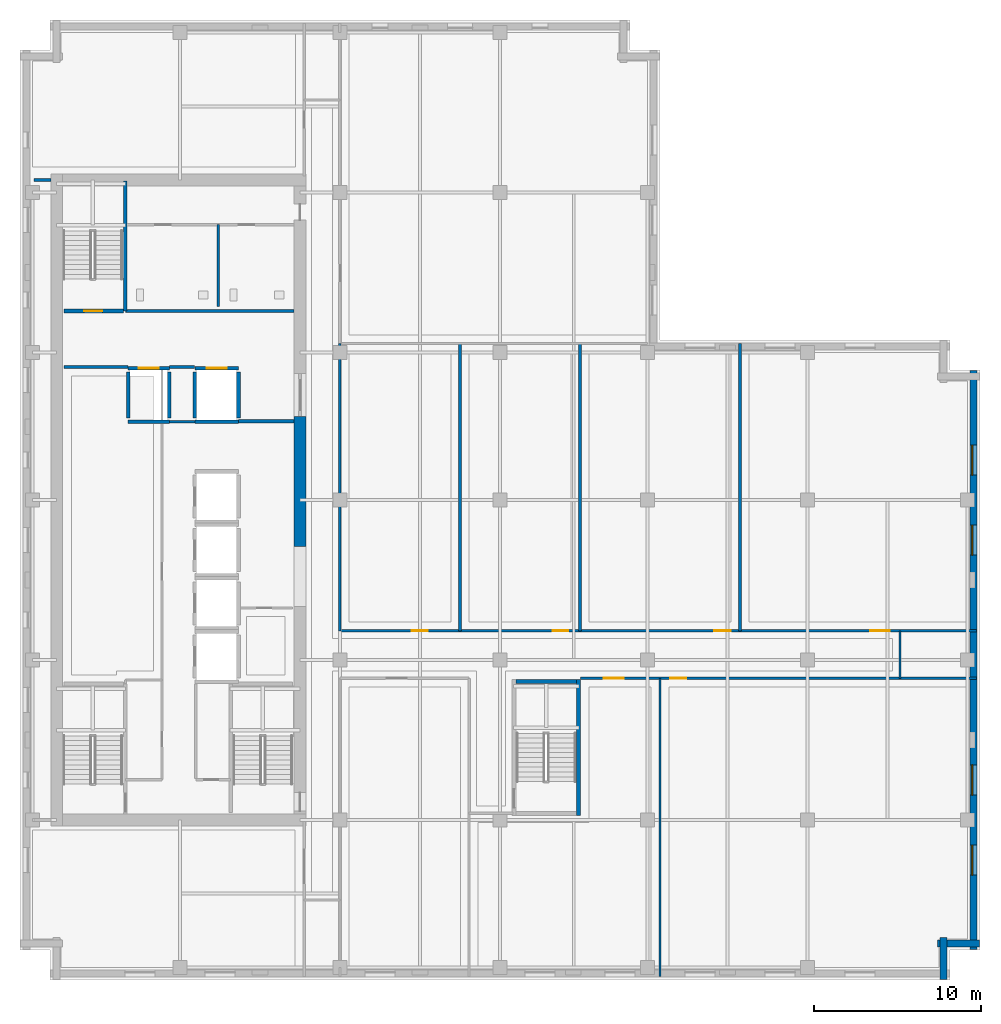
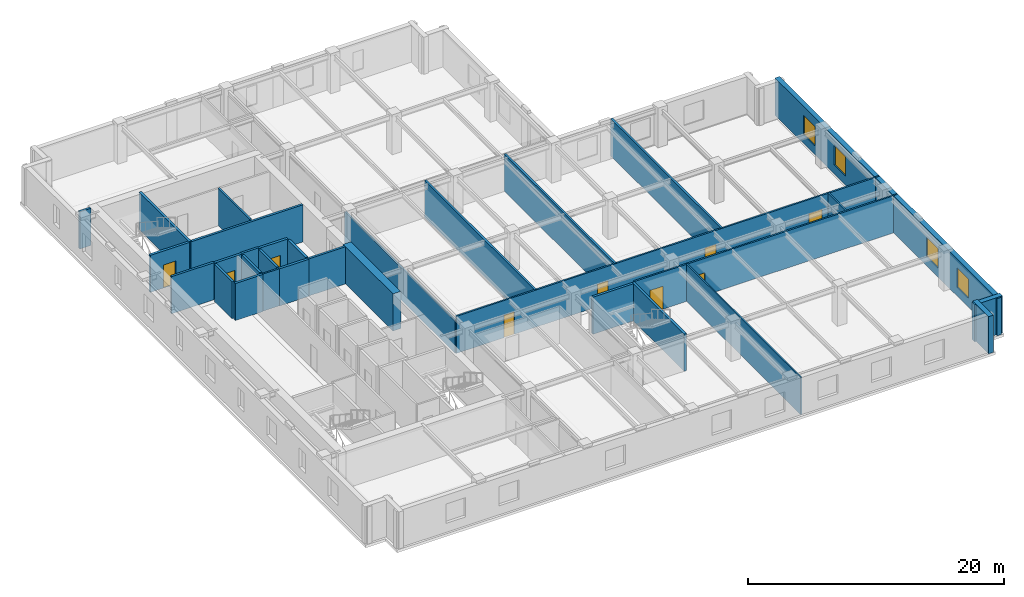
# One storey, part 5 of 11: 31 walls, 9 doors, 4 windows, 13 openings.
"""IFC4 building model written with IfcOpenShell, lengths in metres."""

from ifc_helpers import new_model, si_unit, direction, frame, frame_2d, origin, place, context, subcontext, project, spatial, rectangle, extrude, material, layer, layer_set, type_object, element, fill, save


model = new_model("IFC4")

# Units and contexts
model_context = context("Model", 3, precision=1e-05, world=origin(), true_north=direction((0.0, 1.0)))
body_context = subcontext(model_context, "Body", "Model", "MODEL_VIEW")
ifc_project = project(units=[si_unit("LENGTHUNIT", "METRE"), si_unit("AREAUNIT", "SQUARE_METRE"), si_unit("VOLUMEUNIT", "CUBIC_METRE"), si_unit("PLANEANGLEUNIT", "RADIAN"), si_unit("MASSUNIT", "GRAM", prefix="KILO")], contexts=[model_context])

# Site, building, storey
site_placement = place(None, origin())
site = spatial("IfcSite", under=ifc_project, at=site_placement, CompositionType="ELEMENT")
building_placement = place(site_placement, origin())
building = spatial("IfcBuilding", under=site, at=building_placement, Name="Norrvale University Quadrangle", CompositionType="ELEMENT")
storey_placement = place(building_placement, frame((0.0, 0.0, 206.60009765625)))
storey = spatial("IfcBuildingStorey", under=building, at=storey_placement, Name="L52", CompositionType="ELEMENT", Elevation=206.60009765625)

# Walls
ifc_material_1 = material(Name="Buff Norman Clay Brick Masonry", Category="masonry")
ifc_layer_1 = layer(ifc_material_1, 0.419921875, Name="Buff Norman Clay Brick Masonry")
ifc_layer_set_1 = layer_set([ifc_layer_1], Name="Buff Norman Clay Brick Masonry")
wall_type_1 = type_object("IfcWallType", Name="Wall Buff Brick 420", PredefinedType="SOLIDWALL", material=ifc_layer_set_1)
for number, where, z_axis, x_axis, name in (
    (1, (55.409912109375, 0.0400390625, 0.0), (0.0, 0.0, 1.0), (0.0, 1.0, 0.0), "Exterior Brick Facade Wall L52-02.1"),
    (2, (55.06005859375, 2.18994140625, 0.0), (0.0, 0.0, 1.0), (1.0, 0.0, 0.0), "Exterior Brick Facade Wall L52-03.1"),
):
    element("IfcWall", number, at=place(storey_placement, frame(where, z_axis=z_axis, x_axis=x_axis)), inside=storey, type_object=wall_type_1, Name=name, PredefinedType="SOLIDWALL", context=body_context, shape_type="SweptSolid", body=[
        extrude(rectangle(XDim=2.5, YDim=0.419921875, at=frame_2d((1.25, 0.0))), origin(), (0.0, 0.0, 1.0), 3.539794921875),
    ])

# Wall, openings, windows
wall_1_placement = place(storey_placement, frame((57.2099609375, 1.840087890625, 0.0), z_axis=(0.0, 0.0, 1.0), x_axis=(0.0, 1.0, 0.0)))
wall_1 = element("IfcWall", 3, at=wall_1_placement, inside=storey, type_object=wall_type_1, Name="Exterior Brick Facade Wall L52-04.1", PredefinedType="SOLIDWALL", context=body_context, shape_type="SweptSolid", body=[
    extrude(rectangle(XDim=34.719970703125, YDim=0.419921875, at=frame_2d((17.35986328125, 0.0))), origin(), (0.0, 0.0, 1.0), 3.539794921875),
])
opening_1_placement = place(wall_1_placement, frame((4.4599609375, 0.0, 0.85009765625)))
opening_1 = element("IfcOpeningElement", 4, at=opening_1_placement, cuts=wall_1, Name="Opening W01", PredefinedType="OPENING", context=body_context, shape_type="SweptSolid", body=[
    extrude(rectangle(XDim=1.800048828125, YDim=1.85009765625, at=frame_2d((0.89990234375, 0.925048828125))), frame((0.0, 0.221923828125, 0.0), z_axis=(0.0, -1.0, 0.0), x_axis=(1.0, 0.0, 0.0)), (0.0, 0.0, 1.0), 0.44384765625),
])
opening_2_placement = place(wall_1_placement, frame((9.260009765625, 0.0, 0.85009765625)))
opening_2 = element("IfcOpeningElement", 5, at=opening_2_placement, cuts=wall_1, Name="Opening W01", PredefinedType="OPENING", context=body_context, shape_type="SweptSolid", body=[
    extrude(rectangle(XDim=1.800048828125, YDim=1.85009765625, at=frame_2d((0.89990234375, 0.925048828125))), frame((0.0, 0.221923828125, 0.0), z_axis=(0.0, -1.0, 0.0), x_axis=(1.0, 0.0, 0.0)), (0.0, 0.0, 1.0), 0.44384765625),
])
opening_3_placement = place(wall_1_placement, frame((23.659912109375, 0.0, 0.85009765625)))
opening_3 = element("IfcOpeningElement", 6, at=opening_3_placement, cuts=wall_1, Name="Opening W01", PredefinedType="OPENING", context=body_context, shape_type="SweptSolid", body=[
    extrude(rectangle(XDim=1.800048828125, YDim=1.85009765625, at=frame_2d((0.89990234375, 0.925048828125))), frame((0.0, 0.221923828125, 0.0), z_axis=(0.0, -1.0, 0.0), x_axis=(1.0, 0.0, 0.0)), (0.0, 0.0, 1.0), 0.44384765625),
])
opening_4_placement = place(wall_1_placement, frame((28.4599609375, 0.0, 0.85009765625)))
opening_4 = element("IfcOpeningElement", 7, at=opening_4_placement, cuts=wall_1, Name="Opening W01", PredefinedType="OPENING", context=body_context, shape_type="SweptSolid", body=[
    extrude(rectangle(XDim=1.800048828125, YDim=1.85009765625, at=frame_2d((0.89990234375, 0.925048828125))), frame((0.0, 0.221923828125, 0.0), z_axis=(0.0, -1.0, 0.0), x_axis=(1.0, 0.0, 0.0)), (0.0, 0.0, 1.0), 0.44384765625),
])
ifc_material_2 = material(Name="Triple Low-E Argon Glazing", Category="glass")
window_type = type_object("IfcWindowType", Name="Window Academic 1800x2300", PartitioningType="DOUBLE_PANEL_VERTICAL", PredefinedType="WINDOW", material=ifc_material_2)
window_1_placement = place(opening_1_placement, origin())
window_1 = element("IfcWindow", 8, at=window_1_placement, inside=storey, type_object=window_type, Name="Window Academic 1800x2300 WIN-L52-E04-1-01", OverallHeight=1.85009765625, OverallWidth=1.800048828125, PartitioningType="DOUBLE_PANEL_VERTICAL", PredefinedType="WINDOW", context=body_context, shape_type="SweptSolid", body=[
    extrude(rectangle(XDim=1.800048828125, YDim=1.85009765625, at=frame_2d((0.89990234375, 0.925048828125))), frame((0.0, 0.110107421875, 0.0), z_axis=(0.0, -1.0, 0.0), x_axis=(1.0, 0.0, 0.0)), (0.0, 0.0, 1.0), 0.06005859375),
])
fill(opening_1, window_1)
window_2_placement = place(opening_2_placement, origin())
window_2 = element("IfcWindow", 9, at=window_2_placement, inside=storey, type_object=window_type, Name="Window Academic 1800x2300 WIN-L52-E04-1-02", OverallHeight=1.85009765625, OverallWidth=1.800048828125, PartitioningType="DOUBLE_PANEL_VERTICAL", PredefinedType="WINDOW", context=body_context, shape_type="SweptSolid", body=[
    extrude(rectangle(XDim=1.800048828125, YDim=1.85009765625, at=frame_2d((0.89990234375, 0.925048828125))), frame((0.0, 0.110107421875, 0.0), z_axis=(0.0, -1.0, 0.0), x_axis=(1.0, 0.0, 0.0)), (0.0, 0.0, 1.0), 0.06005859375),
])
fill(opening_2, window_2)
window_3_placement = place(opening_3_placement, origin())
window_3 = element("IfcWindow", 10, at=window_3_placement, inside=storey, type_object=window_type, Name="Window Academic 1800x2300 WIN-L52-E04-1-03", OverallHeight=1.85009765625, OverallWidth=1.800048828125, PartitioningType="DOUBLE_PANEL_VERTICAL", PredefinedType="WINDOW", context=body_context, shape_type="SweptSolid", body=[
    extrude(rectangle(XDim=1.800048828125, YDim=1.85009765625, at=frame_2d((0.89990234375, 0.925048828125))), frame((0.0, 0.110107421875, 0.0), z_axis=(0.0, -1.0, 0.0), x_axis=(1.0, 0.0, 0.0)), (0.0, 0.0, 1.0), 0.06005859375),
])
fill(opening_3, window_3)
window_4_placement = place(opening_4_placement, origin())
window_4 = element("IfcWindow", 11, at=window_4_placement, inside=storey, type_object=window_type, Name="Window Academic 1800x2300 WIN-L52-E04-1-04", OverallHeight=1.85009765625, OverallWidth=1.800048828125, PartitioningType="DOUBLE_PANEL_VERTICAL", PredefinedType="WINDOW", context=body_context, shape_type="SweptSolid", body=[
    extrude(rectangle(XDim=1.800048828125, YDim=1.85009765625, at=frame_2d((0.89990234375, 0.925048828125))), frame((0.0, 0.110107421875, 0.0), z_axis=(0.0, -1.0, 0.0), x_axis=(1.0, 0.0, 0.0)), (0.0, 0.0, 1.0), 0.06005859375),
])
fill(opening_4, window_4)

# Walls
ifc_material_3 = material(Name="Concrete C60/75", Category="concrete")
ifc_layer_2 = layer(ifc_material_3, 0.699951171875, Name="Concrete C60/75")
ifc_layer_set_2 = layer_set([ifc_layer_2], Name="Concrete C60/75")
wall_type_2 = type_object("IfcWallType", Name="Wall Core 700", PredefinedType="SHEAR", material=ifc_layer_set_2)
wall_2_placement = place(storey_placement, frame((16.800048828125, 26.0, 0.0), z_axis=(0.0, 0.0, 1.0), x_axis=(0.0, 1.0, 0.0)))
element("IfcWall", 12, at=wall_2_placement, inside=storey, type_object=wall_type_2, Name="Tower Core Shear Wall L52-E2", PredefinedType="SHEAR", context=body_context, shape_type="SweptSolid", body=[
    extrude(rectangle(XDim=7.800048828125, YDim=0.699951171875, at=frame_2d((3.89990234375, 0.0))), origin(), (0.0, 0.0, 1.0), 3.539794921875),
])
ifc_material_4 = material(Name="Standard Academic Gypsum Partition")
ifc_layer_3 = layer(ifc_material_4, 0.125, Name="Standard Academic Gypsum Partition")
ifc_layer_set_3 = layer_set([ifc_layer_3], Name="Standard Academic Gypsum Partition")
wall_type_3 = type_object("IfcWallType", Name="Wall Gypsum Academic 125", PredefinedType="PARTITIONING", material=ifc_layer_set_3)
wall_3_placement = place(storey_placement, frame((38.39990234375, 0.219970703125, 0.0), z_axis=(0.0, 0.0, 1.0), x_axis=(0.0, 1.0, 0.0)))
element("IfcWall", 13, at=wall_3_placement, inside=storey, type_object=wall_type_3, Name="Interior Partition WL-L52-SEP2", PredefinedType="PARTITIONING", context=body_context, shape_type="SweptSolid", body=[
    extrude(rectangle(XDim=17.880126953125, YDim=0.125, at=frame_2d((8.93994140625, 0.0))), origin(), (0.0, 0.0, 1.0), 3.539794921875),
])
ifc_material_5 = material(Name="Fire-Rated Gypsum Stud Partition")
ifc_layer_4 = layer(ifc_material_5, 0.14990234375, Name="Fire-Rated Gypsum Stud Partition")
ifc_layer_set_4 = layer_set([ifc_layer_4], Name="Fire-Rated Gypsum Stud Partition")
wall_type_4 = type_object("IfcWallType", Name="Wall Gypsum Corridor 150", PredefinedType="PARTITIONING", material=ifc_layer_set_4)
wall_4_placement = place(storey_placement, frame((8.965087890625, 33.489990234375, 0.0), z_axis=(0.0, 0.0, 1.0), x_axis=(1.0, 0.0, 0.0)))
element("IfcWall", 14, at=wall_4_placement, inside=storey, type_object=wall_type_4, Name="Interior Partition WL-L52-LL3", PredefinedType="PARTITIONING", context=body_context, shape_type="SweptSolid", body=[
    extrude(rectangle(XDim=1.52001953125, YDim=0.14990234375, at=frame_2d((0.760009765625, 0.0))), origin(), (0.0, 0.0, 1.0), 3.539794921875),
])
wall_5_placement = place(storey_placement, frame((52.800048828125, 18.10009765625, 0.0), z_axis=(0.0, 0.0, 1.0), x_axis=(0.0, 1.0, 0.0)))
element("IfcWall", 15, at=wall_5_placement, inside=storey, type_object=wall_type_4, Name="Interior Partition WL-L52-CESP-E", PredefinedType="PARTITIONING", context=body_context, shape_type="SweptSolid", body=[
    extrude(rectangle(XDim=2.849853515625, YDim=0.14990234375, at=frame_2d((1.4248046875, 0.0))), origin(), (0.0, 0.0, 1.0), 3.539794921875),
])

# Wall, openings, doors
wall_6_placement = place(storey_placement, frame((33.6201171875, 18.10009765625, 0.0), z_axis=(0.0, 0.0, 1.0), x_axis=(1.0, 0.0, 0.0)))
wall_6 = element("IfcWall", 16, at=wall_6_placement, inside=storey, type_object=wall_type_4, Name="Interior Partition WL-L52-SEW2", PredefinedType="PARTITIONING", context=body_context, shape_type="SweptSolid", body=[
    extrude(rectangle(XDim=23.759765625, YDim=0.14990234375, at=frame_2d((11.8798828125, 0.0))), origin(), (0.0, 0.0, 1.0), 3.539794921875),
])
opening_5_placement = place(wall_6_placement, frame((1.39990234375, 0.0, 0.0)))
opening_5 = element("IfcOpeningElement", 17, at=opening_5_placement, cuts=wall_6, Name="Opening D05", PredefinedType="OPENING", context=body_context, shape_type="SweptSolid", body=[
    extrude(rectangle(XDim=1.199951171875, YDim=2.199951171875, at=frame_2d((0.60009765625, 1.10009765625))), frame((0.0, 0.0869140625, 0.0), z_axis=(0.0, -1.0, 0.0), x_axis=(1.0, 0.0, 0.0)), (0.0, 0.0, 1.0), 0.173828125),
])
opening_6_placement = place(wall_6_placement, frame((5.39990234375, 0.0, 0.0)))
opening_6 = element("IfcOpeningElement", 18, at=opening_6_placement, cuts=wall_6, Name="Opening D07", PredefinedType="OPENING", context=body_context, shape_type="SweptSolid", body=[
    extrude(rectangle(XDim=0.949951171875, YDim=2.14990234375, at=frame_2d((0.47509765625, 1.074951171875))), frame((0.0, 0.0869140625, 0.0), z_axis=(0.0, -1.0, 0.0), x_axis=(1.0, 0.0, 0.0)), (0.0, 0.0, 1.0), 0.173828125),
])
ifc_material_6 = material(Name="Acoustic Oak Classroom Door", Category="wood")
door_type_1 = type_object("IfcDoorType", Name="Door Classroom 1200x2200", OperationType="NOTDEFINED", PredefinedType="DOOR", material=ifc_material_6)
door_1_placement = place(opening_5_placement, origin())
door_1 = element("IfcDoor", 19, at=door_1_placement, inside=storey, type_object=door_type_1, Name="Door Classroom 1200x2200 DR-L52-SE2", OperationType="SINGLE_SWING_RIGHT", OverallHeight=2.199951171875, OverallWidth=1.199951171875, PredefinedType="DOOR", context=body_context, shape_type="SweptSolid", body=[
    extrude(rectangle(XDim=1.199951171875, YDim=2.199951171875, at=frame_2d((0.60009765625, 1.10009765625))), frame((0.0, 0.02490234375, 0.0), z_axis=(0.0, -1.0, 0.0), x_axis=(1.0, 0.0, 0.0)), (0.0, 0.0, 1.0), 0.050048828125),
])
fill(opening_5, door_1)
ifc_material_7 = material(Name="Solid-Core Maple Door", Category="wood")
door_type_2 = type_object("IfcDoorType", Name="Door Office 950x2150", OperationType="NOTDEFINED", PredefinedType="DOOR", material=ifc_material_7)
door_2_placement = place(opening_6_placement, origin())
door_2 = element("IfcDoor", 20, at=door_2_placement, inside=storey, type_object=door_type_2, Name="Door Office 950x2150 DR-L52-SE3", OperationType="SINGLE_SWING_LEFT", OverallHeight=2.14990234375, OverallWidth=0.949951171875, PredefinedType="DOOR", context=body_context, shape_type="SweptSolid", body=[
    extrude(rectangle(XDim=0.949951171875, YDim=2.14990234375, at=frame_2d((0.47509765625, 1.074951171875))), frame((0.0, 0.02490234375, 0.0), z_axis=(0.0, -1.0, 0.0), x_axis=(1.0, 0.0, 0.0)), (0.0, 0.0, 1.0), 0.050048828125),
])
fill(opening_6, door_2)

wall_7_placement = place(storey_placement, frame((19.199951171875, 20.949951171875, 0.0), z_axis=(0.0, 0.0, 1.0), x_axis=(1.0, 0.0, 0.0)))
wall_7 = element("IfcWall", 21, at=wall_7_placement, inside=storey, type_object=wall_type_4, Name="Interior Partition WL-L52-MECW", PredefinedType="PARTITIONING", context=body_context, shape_type="SweptSolid", body=[
    extrude(rectangle(XDim=38.179931640625, YDim=0.14990234375, at=frame_2d((19.08984375, 0.0))), origin(), (0.0, 0.0, 1.0), 3.539794921875),
])
opening_7_placement = place(wall_7_placement, frame((4.300048828125, 0.0, 0.0)))
opening_7 = element("IfcOpeningElement", 22, at=opening_7_placement, cuts=wall_7, Name="Opening D07", PredefinedType="OPENING", context=body_context, shape_type="SweptSolid", body=[
    extrude(rectangle(XDim=0.949951171875, YDim=2.14990234375, at=frame_2d((0.47509765625, 1.074951171875))), frame((0.0, 0.0869140625, 0.0), z_axis=(0.0, -1.0, 0.0), x_axis=(1.0, 0.0, 0.0)), (0.0, 0.0, 1.0), 0.173828125),
])
opening_8_placement = place(wall_7_placement, frame((12.75, 0.0, 0.0)))
opening_8 = element("IfcOpeningElement", 23, at=opening_8_placement, cuts=wall_7, Name="Opening D07", PredefinedType="OPENING", context=body_context, shape_type="SweptSolid", body=[
    extrude(rectangle(XDim=0.949951171875, YDim=2.14990234375, at=frame_2d((0.47509765625, 1.074951171875))), frame((0.0, 0.0869140625, 0.0), z_axis=(0.0, -1.0, 0.0), x_axis=(1.0, 0.0, 0.0)), (0.0, 0.0, 1.0), 0.173828125),
])
opening_9_placement = place(wall_7_placement, frame((22.449951171875, 0.0, 0.0)))
opening_9 = element("IfcOpeningElement", 24, at=opening_9_placement, cuts=wall_7, Name="Opening D04", PredefinedType="OPENING", context=body_context, shape_type="SweptSolid", body=[
    extrude(rectangle(XDim=1.0, YDim=2.199951171875, at=frame_2d((0.5, 1.10009765625))), frame((0.0, 0.0869140625, 0.0), z_axis=(0.0, -1.0, 0.0), x_axis=(1.0, 0.0, 0.0)), (0.0, 0.0, 1.0), 0.173828125),
])
opening_10_placement = place(wall_7_placement, frame((31.800048828125, 0.0, 0.0)))
opening_10 = element("IfcOpeningElement", 25, at=opening_10_placement, cuts=wall_7, Name="Opening D05", PredefinedType="OPENING", context=body_context, shape_type="SweptSolid", body=[
    extrude(rectangle(XDim=1.199951171875, YDim=2.199951171875, at=frame_2d((0.60009765625, 1.10009765625))), frame((0.0, 0.0869140625, 0.0), z_axis=(0.0, -1.0, 0.0), x_axis=(1.0, 0.0, 0.0)), (0.0, 0.0, 1.0), 0.173828125),
])
door_3_placement = place(opening_10_placement, origin())
door_3 = element("IfcDoor", 26, at=door_3_placement, inside=storey, type_object=door_type_1, Name="Door Classroom 1200x2200 DR-L52-ME04", OperationType="SINGLE_SWING_RIGHT", OverallHeight=2.199951171875, OverallWidth=1.199951171875, PredefinedType="DOOR", context=body_context, shape_type="SweptSolid", body=[
    extrude(rectangle(XDim=1.199951171875, YDim=2.199951171875, at=frame_2d((0.60009765625, 1.10009765625))), frame((0.0, 0.02490234375, 0.0), z_axis=(0.0, -1.0, 0.0), x_axis=(1.0, 0.0, 0.0)), (0.0, 0.0, 1.0), 0.050048828125),
])
fill(opening_10, door_3)
ifc_material_8 = material(Name="Solid-Core Oak Fire Door", Category="wood")
door_type_3 = type_object("IfcDoorType", Name="Door Corridor 1000x2200", OperationType="NOTDEFINED", PredefinedType="DOOR", material=ifc_material_8)
door_4_placement = place(opening_9_placement, origin())
door_4 = element("IfcDoor", 27, at=door_4_placement, inside=storey, type_object=door_type_3, Name="Door Corridor 1000x2200 DR-L52-ME03", OperationType="SINGLE_SWING_LEFT", OverallHeight=2.199951171875, OverallWidth=1.0, PredefinedType="DOOR", context=body_context, shape_type="SweptSolid", body=[
    extrude(rectangle(XDim=1.0, YDim=2.199951171875, at=frame_2d((0.5, 1.10009765625))), frame((0.0, 0.02490234375, 0.0), z_axis=(0.0, -1.0, 0.0), x_axis=(1.0, 0.0, 0.0)), (0.0, 0.0, 1.0), 0.050048828125),
])
fill(opening_9, door_4)
door_5_placement = place(opening_7_placement, origin())
door_5 = element("IfcDoor", 28, at=door_5_placement, inside=storey, type_object=door_type_2, Name="Door Office 950x2150 DR-L52-ME01", OperationType="SINGLE_SWING_LEFT", OverallHeight=2.14990234375, OverallWidth=0.949951171875, PredefinedType="DOOR", context=body_context, shape_type="SweptSolid", body=[
    extrude(rectangle(XDim=0.949951171875, YDim=2.14990234375, at=frame_2d((0.47509765625, 1.074951171875))), frame((0.0, 0.02490234375, 0.0), z_axis=(0.0, -1.0, 0.0), x_axis=(1.0, 0.0, 0.0)), (0.0, 0.0, 1.0), 0.050048828125),
])
fill(opening_7, door_5)
door_6_placement = place(opening_8_placement, origin())
door_6 = element("IfcDoor", 29, at=door_6_placement, inside=storey, type_object=door_type_2, Name="Door Office 950x2150 DR-L52-ME02", OperationType="SINGLE_SWING_RIGHT", OverallHeight=2.14990234375, OverallWidth=0.949951171875, PredefinedType="DOOR", context=body_context, shape_type="SweptSolid", body=[
    extrude(rectangle(XDim=0.949951171875, YDim=2.14990234375, at=frame_2d((0.47509765625, 1.074951171875))), frame((0.0, 0.02490234375, 0.0), z_axis=(0.0, -1.0, 0.0), x_axis=(1.0, 0.0, 0.0)), (0.0, 0.0, 1.0), 0.050048828125),
])
fill(opening_8, door_6)

# Walls
wall_8_placement = place(storey_placement, frame((19.199951171875, 20.949951171875, 0.0), z_axis=(0.0, 0.0, 1.0), x_axis=(0.0, 1.0, 0.0)))
element("IfcWall", 30, at=wall_8_placement, inside=storey, type_object=wall_type_4, Name="Interior Partition WL-L52-ME-W", PredefinedType="PARTITIONING", context=body_context, shape_type="SweptSolid", body=[
    extrude(rectangle(XDim=17.22998046875, YDim=0.14990234375, at=frame_2d((8.614990234375, 0.0))), origin(), (0.0, 0.0, 1.0), 3.07080078125),
])
ifc_material_9 = material(Name="Acoustic Double-Stud Gypsum Partition")
ifc_layer_5 = layer(ifc_material_9, 0.179931640625, Name="Acoustic Double-Stud Gypsum Partition")
ifc_layer_set_5 = layer_set([ifc_layer_5], Name="Acoustic Double-Stud Gypsum Partition")
wall_type_5 = type_object("IfcWallType", Name="Wall Gypsum Lecture 180", PredefinedType="PARTITIONING", material=ifc_layer_set_5)
for number, where, z_axis, x_axis, name in (
    (31, (26.39990234375, 20.949951171875, 0.0), (0.0, 0.0, 1.0), (0.0, 1.0, 0.0), "Interior Partition WL-L52-MEP01"),
    (32, (33.60009765625, 20.949951171875, 0.0), (0.0, 0.0, 1.0), (0.0, 1.0, 0.0), "Interior Partition WL-L52-MEP02"),
    (33, (43.199951171875, 20.949951171875, 0.0), (0.0, 0.0, 1.0), (0.0, 1.0, 0.0), "Interior Partition WL-L52-MEP03"),
):
    element("IfcWall", number, at=place(storey_placement, frame(where, z_axis=z_axis, x_axis=x_axis)), inside=storey, type_object=wall_type_5, Name=name, PredefinedType="PARTITIONING", context=body_context, shape_type="SweptSolid", body=[
        extrude(rectangle(XDim=17.22998046875, YDim=0.179931640625, at=frame_2d((8.614990234375, 0.0))), origin(), (0.0, 0.0, 1.0), 3.539794921875),
    ])
ifc_material_10 = material(Name="Sanitary Chase Gypsum Partition")
ifc_layer_6 = layer(ifc_material_10, 0.1650390625, Name="Sanitary Chase Gypsum Partition")
ifc_layer_set_6 = layer_set([ifc_layer_6], Name="Sanitary Chase Gypsum Partition")
wall_type_6 = type_object("IfcWallType", Name="Wall Gypsum Sanitary 165", PredefinedType="PLUMBINGWALL", material=ifc_layer_set_6)
wall_9_placement = place(storey_placement, frame((11.89990234375, 40.39990234375, 0.0), z_axis=(0.0, 0.0, 1.0), x_axis=(0.0, 1.0, 0.0)))
element("IfcWall", 34, at=wall_9_placement, inside=storey, type_object=wall_type_6, Name="Interior Partition WL-L52-WCM1", PredefinedType="PLUMBINGWALL", context=body_context, shape_type="SweptSolid", body=[
    extrude(rectangle(XDim=4.920166015625, YDim=0.1650390625, at=frame_2d((2.4599609375, 0.0))), origin(), (0.0, 0.0, 1.0), 3.539794921875),
])
ifc_material_11 = material(Name="Concrete Blockwork 20 MPa Rated Wall", Category="masonry")
ifc_layer_7 = layer(ifc_material_11, 0.199951171875, Name="Concrete Blockwork 20 MPa Rated Wall")
ifc_layer_set_7 = layer_set([ifc_layer_7], Name="Concrete Blockwork 20 MPa Rated Wall")
wall_type_7 = type_object("IfcWallType", Name="Wall Lobby 200", PredefinedType="SOLIDWALL", material=ifc_layer_set_7)
wall_10_placement = place(storey_placement, frame((2.64990234375, 36.780029296875, 0.0), z_axis=(0.0, 0.0, 1.0), x_axis=(1.0, 0.0, 0.0)))
element("IfcWall", 35, at=wall_10_placement, inside=storey, type_object=wall_type_7, Name="Interior Partition WL-L52-FF1", PredefinedType="SOLIDWALL", context=body_context, shape_type="SweptSolid", body=[
    extrude(rectangle(XDim=3.830078125, YDim=0.199951171875, at=frame_2d((1.9150390625, 0.0))), origin(), (0.0, 0.0, 1.0), 3.539794921875),
])
wall_11_placement = place(storey_placement, frame((8.969970703125, 36.780029296875, 0.0), z_axis=(0.0, 0.0, 1.0), x_axis=(1.0, 0.0, 0.0)))
element("IfcWall", 36, at=wall_11_placement, inside=storey, type_object=wall_type_7, Name="Interior Partition WL-L52-FF2", PredefinedType="SOLIDWALL", context=body_context, shape_type="SweptSolid", body=[
    extrude(rectangle(XDim=1.510009765625, YDim=0.199951171875, at=frame_2d((0.7548828125, 0.0))), origin(), (0.0, 0.0, 1.0), 3.539794921875),
])
wall_12_placement = place(storey_placement, frame((13.1201171875, 33.52001953125, 0.0), z_axis=(0.0, 0.0, 1.0), x_axis=(1.0, 0.0, 0.0)))
element("IfcWall", 37, at=wall_12_placement, inside=storey, type_object=wall_type_7, Name="Interior Partition WL-L52-FF3", PredefinedType="SOLIDWALL", context=body_context, shape_type="SweptSolid", body=[
    extrude(rectangle(XDim=3.329833984375, YDim=0.199951171875, at=frame_2d((1.6650390625, 0.0))), origin(), (0.0, 0.0, 1.0), 3.539794921875),
])
wall_13_placement = place(storey_placement, frame((6.320068359375, 40.139892578125, 0.0), z_axis=(0.0, 0.0, 1.0), x_axis=(1.0, 0.0, 0.0)))
element("IfcWall", 38, at=wall_13_placement, inside=storey, type_object=wall_type_7, Name="Interior Partition WL-L52-FF4", PredefinedType="SOLIDWALL", context=body_context, shape_type="SweptSolid", body=[
    extrude(rectangle(XDim=10.1298828125, YDim=0.199951171875, at=frame_2d((5.06494140625, 0.0))), origin(), (0.0, 0.0, 1.0), 3.539794921875),
])
wall_14_placement = place(storey_placement, frame((0.85009765625, 48.0, 0.0), z_axis=(0.0, 0.0, 1.0), x_axis=(1.0, 0.0, 0.0)))
element("IfcWall", 39, at=wall_14_placement, inside=storey, type_object=wall_type_7, Name="Interior Partition WL-L52-CWRET-N", PredefinedType="SOLIDWALL", context=body_context, shape_type="SweptSolid", body=[
    extrude(rectangle(XDim=0.994873046875, YDim=0.199951171875, at=frame_2d((0.49755859375, 0.0))), origin(), (0.0, 0.0, 1.0), 3.539794921875),
])

# Wall, opening, door
ifc_material_12 = material(Name="Concrete Blockwork 20 MPa Fire Shaft", Category="masonry")
ifc_layer_8 = layer(ifc_material_12, 0.219970703125, Name="Concrete Blockwork 20 MPa Fire Shaft")
ifc_layer_set_8 = layer_set([ifc_layer_8], Name="Concrete Blockwork 20 MPa Fire Shaft")
wall_type_8 = type_object("IfcWallType", Name="Wall Shaft 220", PredefinedType="SOLIDWALL", material=ifc_layer_set_8)
wall_15_placement = place(storey_placement, frame((2.64990234375, 40.139892578125, 0.0), z_axis=(0.0, 0.0, 1.0), x_axis=(1.0, 0.0, 0.0)))
wall_15 = element("IfcWall", 40, at=wall_15_placement, inside=storey, type_object=wall_type_8, Name="Stair ST-02 South Shaft Wall L52", PredefinedType="SOLIDWALL", context=body_context, shape_type="SweptSolid", body=[
    extrude(rectangle(XDim=3.550048828125, YDim=0.219970703125, at=frame_2d((1.77490234375, 0.0))), origin(), (0.0, 0.0, 1.0), 3.539794921875),
])
opening_11_placement = place(wall_15_placement, frame((1.199951171875, 0.0, 0.0)))
opening_11 = element("IfcOpeningElement", 41, at=opening_11_placement, cuts=wall_15, Name="Opening D02", PredefinedType="OPENING", context=body_context, shape_type="SweptSolid", body=[
    extrude(rectangle(XDim=1.10009765625, YDim=2.199951171875, at=frame_2d((0.550048828125, 1.10009765625))), frame((0.0, 0.1220703125, 0.0), z_axis=(0.0, -1.0, 0.0), x_axis=(1.0, 0.0, 0.0)), (0.0, 0.0, 1.0), 0.243896484375),
])
ifc_material_13 = material(Name="Hollow Steel 350W Fire Door", Category="steel")
door_type_4 = type_object("IfcDoorType", Name="Door Stair Exit 1100x2200", OperationType="NOTDEFINED", PredefinedType="DOOR", material=ifc_material_13)
door_7_placement = place(opening_11_placement, origin())
door_7 = element("IfcDoor", 42, at=door_7_placement, inside=storey, type_object=door_type_4, Name="Door Stair Exit 1100x2200 DR-L52-ST02", OperationType="SINGLE_SWING_LEFT", OverallHeight=2.199951171875, OverallWidth=1.10009765625, PredefinedType="DOOR", context=body_context, shape_type="SweptSolid", body=[
    extrude(rectangle(XDim=1.10009765625, YDim=2.199951171875, at=frame_2d((0.550048828125, 1.10009765625))), frame((0.0, 0.02490234375, 0.0), z_axis=(0.0, -1.0, 0.0), x_axis=(1.0, 0.0, 0.0)), (0.0, 0.0, 1.0), 0.050048828125),
])
fill(opening_11, door_7)

# Walls
wall_16_placement = place(storey_placement, frame((6.31005859375, 40.139892578125, 0.0), z_axis=(0.0, 0.0, 1.0), x_axis=(0.0, 1.0, 0.0)))
element("IfcWall", 43, at=wall_16_placement, inside=storey, type_object=wall_type_8, Name="Stair ST-02 East Shaft Wall L52", PredefinedType="SOLIDWALL", context=body_context, shape_type="SweptSolid", body=[
    extrude(rectangle(XDim=7.81005859375, YDim=0.219970703125, at=frame_2d((3.905029296875, 0.0))), origin(), (0.0, 0.0, 1.0), 3.539794921875),
])
wall_17_placement = place(storey_placement, frame((33.510009765625, 9.8798828125, 0.0), z_axis=(0.0, 0.0, 1.0), x_axis=(0.0, 1.0, 0.0)))
element("IfcWall", 44, at=wall_17_placement, inside=storey, type_object=wall_type_8, Name="Stair ST-04 East Shaft Wall L52", PredefinedType="SOLIDWALL", context=body_context, shape_type="SweptSolid", body=[
    extrude(rectangle(XDim=8.14013671875, YDim=0.219970703125, at=frame_2d((4.070068359375, 0.0))), origin(), (0.0, 0.0, 1.0), 3.539794921875),
])
wall_18_placement = place(storey_placement, frame((29.75, 17.909912109375, 0.0), z_axis=(0.0, 0.0, 1.0), x_axis=(1.0, 0.0, 0.0)))
element("IfcWall", 45, at=wall_18_placement, inside=storey, type_object=wall_type_8, Name="Stair ST-04 North Shaft Wall L52", PredefinedType="SOLIDWALL", context=body_context, shape_type="SweptSolid", body=[
    extrude(rectangle(XDim=3.64990234375, YDim=0.219970703125, at=frame_2d((1.824951171875, 0.0))), origin(), (0.0, 0.0, 1.0), 3.539794921875),
])
for number, where, z_axis, x_axis, name in (
    (46, (6.489990234375, 33.7099609375, 0.0), (0.0, 0.0, 1.0), (0.0, 1.0, 0.0), "Hoistway FFL-01 West Wall L52"),
    (47, (8.9599609375, 33.7099609375, 0.0), (0.0, 0.0, 1.0), (0.0, 1.0, 0.0), "Hoistway FFL-01 East Wall L52"),
):
    element("IfcWall", number, at=place(storey_placement, frame(where, z_axis=z_axis, x_axis=x_axis)), inside=storey, type_object=wall_type_8, Name=name, PredefinedType="SOLIDWALL", context=body_context, shape_type="SweptSolid", body=[
        extrude(rectangle(XDim=2.780029296875, YDim=0.219970703125, at=frame_2d((1.39013671875, 0.0))), origin(), (0.0, 0.0, 1.0), 3.539794921875),
    ])
wall_19_placement = place(storey_placement, frame((6.489990234375, 33.489990234375, 0.0), z_axis=(0.0, 0.0, 1.0), x_axis=(1.0, 0.0, 0.0)))
element("IfcWall", 48, at=wall_19_placement, inside=storey, type_object=wall_type_8, Name="Hoistway FFL-01 South Wall L52", PredefinedType="SOLIDWALL", context=body_context, shape_type="SweptSolid", body=[
    extrude(rectangle(XDim=2.469970703125, YDim=0.219970703125, at=frame_2d((1.23486328125, 0.0))), origin(), (0.0, 0.0, 1.0), 3.539794921875),
])

# Wall, opening, door
wall_20_placement = place(storey_placement, frame((6.489990234375, 36.7099609375, 0.0), z_axis=(0.0, 0.0, 1.0), x_axis=(1.0, 0.0, 0.0)))
wall_20 = element("IfcWall", 49, at=wall_20_placement, inside=storey, type_object=wall_type_8, Name="Hoistway FFL-01 North Wall L52", PredefinedType="SOLIDWALL", context=body_context, shape_type="SweptSolid", body=[
    extrude(rectangle(XDim=2.469970703125, YDim=0.219970703125, at=frame_2d((1.23486328125, 0.0))), origin(), (0.0, 0.0, 1.0), 3.539794921875),
])
opening_12_placement = place(wall_20_placement, frame((0.635009765625, 0.0, 0.0)))
opening_12 = element("IfcOpeningElement", 50, at=opening_12_placement, cuts=wall_20, Name="Opening LD2", PredefinedType="OPENING", context=body_context, shape_type="SweptSolid", body=[
    extrude(rectangle(XDim=1.199951171875, YDim=2.199951171875, at=frame_2d((0.60009765625, 1.10009765625))), frame((0.0, 0.1220703125, 0.0), z_axis=(0.0, -1.0, 0.0), x_axis=(1.0, 0.0, 0.0)), (0.0, 0.0, 1.0), 0.243896484375),
])
ifc_material_14 = material(Name="Stainless Steel 316L Firefighter Lift Door", Category="steel")
door_type_5 = type_object("IfcDoorType", Name="Door Fire Lift 1200x2200", OperationType="DOUBLE_DOOR_SLIDING", PredefinedType="DOOR", material=ifc_material_14)
door_8_placement = place(opening_12_placement, origin())
door_8 = element("IfcDoor", 51, at=door_8_placement, inside=storey, type_object=door_type_5, Name="Elevator Landing Door DR-L52-FFL-01", OperationType="DOUBLE_DOOR_SLIDING", OverallHeight=2.199951171875, OverallWidth=1.199951171875, PredefinedType="DOOR", context=body_context, shape_type="SweptSolid", body=[
    extrude(rectangle(XDim=1.199951171875, YDim=2.199951171875, at=frame_2d((0.60009765625, 1.10009765625))), frame((0.0, 0.02490234375, 0.0), z_axis=(0.0, -1.0, 0.0), x_axis=(1.0, 0.0, 0.0)), (0.0, 0.0, 1.0), 0.050048828125),
])
fill(opening_12, door_8)

# Walls
for number, where, z_axis, x_axis, name in (
    (52, (10.489990234375, 33.7099609375, 0.0), (0.0, 0.0, 1.0), (0.0, 1.0, 0.0), "Hoistway FFL-02 West Wall L52"),
    (53, (13.110107421875, 33.7099609375, 0.0), (0.0, 0.0, 1.0), (0.0, 1.0, 0.0), "Hoistway FFL-02 East Wall L52"),
):
    element("IfcWall", number, at=place(storey_placement, frame(where, z_axis=z_axis, x_axis=x_axis)), inside=storey, type_object=wall_type_8, Name=name, PredefinedType="SOLIDWALL", context=body_context, shape_type="SweptSolid", body=[
        extrude(rectangle(XDim=2.780029296875, YDim=0.219970703125, at=frame_2d((1.39013671875, 0.0))), origin(), (0.0, 0.0, 1.0), 3.539794921875),
    ])
wall_21_placement = place(storey_placement, frame((10.489990234375, 33.489990234375, 0.0), z_axis=(0.0, 0.0, 1.0), x_axis=(1.0, 0.0, 0.0)))
element("IfcWall", 54, at=wall_21_placement, inside=storey, type_object=wall_type_8, Name="Hoistway FFL-02 South Wall L52", PredefinedType="SOLIDWALL", context=body_context, shape_type="SweptSolid", body=[
    extrude(rectangle(XDim=2.6201171875, YDim=0.219970703125, at=frame_2d((1.31005859375, 0.0))), origin(), (0.0, 0.0, 1.0), 3.539794921875),
])

# Wall, opening, door
wall_22_placement = place(storey_placement, frame((10.489990234375, 36.7099609375, 0.0), z_axis=(0.0, 0.0, 1.0), x_axis=(1.0, 0.0, 0.0)))
wall_22 = element("IfcWall", 55, at=wall_22_placement, inside=storey, type_object=wall_type_8, Name="Hoistway FFL-02 North Wall L52", PredefinedType="SOLIDWALL", context=body_context, shape_type="SweptSolid", body=[
    extrude(rectangle(XDim=2.6201171875, YDim=0.219970703125, at=frame_2d((1.31005859375, 0.0))), origin(), (0.0, 0.0, 1.0), 3.539794921875),
])
opening_13_placement = place(wall_22_placement, frame((0.7099609375, 0.0, 0.0)))
opening_13 = element("IfcOpeningElement", 56, at=opening_13_placement, cuts=wall_22, Name="Opening LD2", PredefinedType="OPENING", context=body_context, shape_type="SweptSolid", body=[
    extrude(rectangle(XDim=1.199951171875, YDim=2.199951171875, at=frame_2d((0.60009765625, 1.10009765625))), frame((0.0, 0.1220703125, 0.0), z_axis=(0.0, -1.0, 0.0), x_axis=(1.0, 0.0, 0.0)), (0.0, 0.0, 1.0), 0.243896484375),
])
door_9_placement = place(opening_13_placement, origin())
door_9 = element("IfcDoor", 57, at=door_9_placement, inside=storey, type_object=door_type_5, Name="Elevator Landing Door DR-L52-FFL-02", OperationType="DOUBLE_DOOR_SLIDING", OverallHeight=2.199951171875, OverallWidth=1.199951171875, PredefinedType="DOOR", context=body_context, shape_type="SweptSolid", body=[
    extrude(rectangle(XDim=1.199951171875, YDim=2.199951171875, at=frame_2d((0.60009765625, 1.10009765625))), frame((0.0, 0.02490234375, 0.0), z_axis=(0.0, -1.0, 0.0), x_axis=(1.0, 0.0, 0.0)), (0.0, 0.0, 1.0), 0.050048828125),
])
fill(opening_13, door_9)

save(model, "model.ifc")
